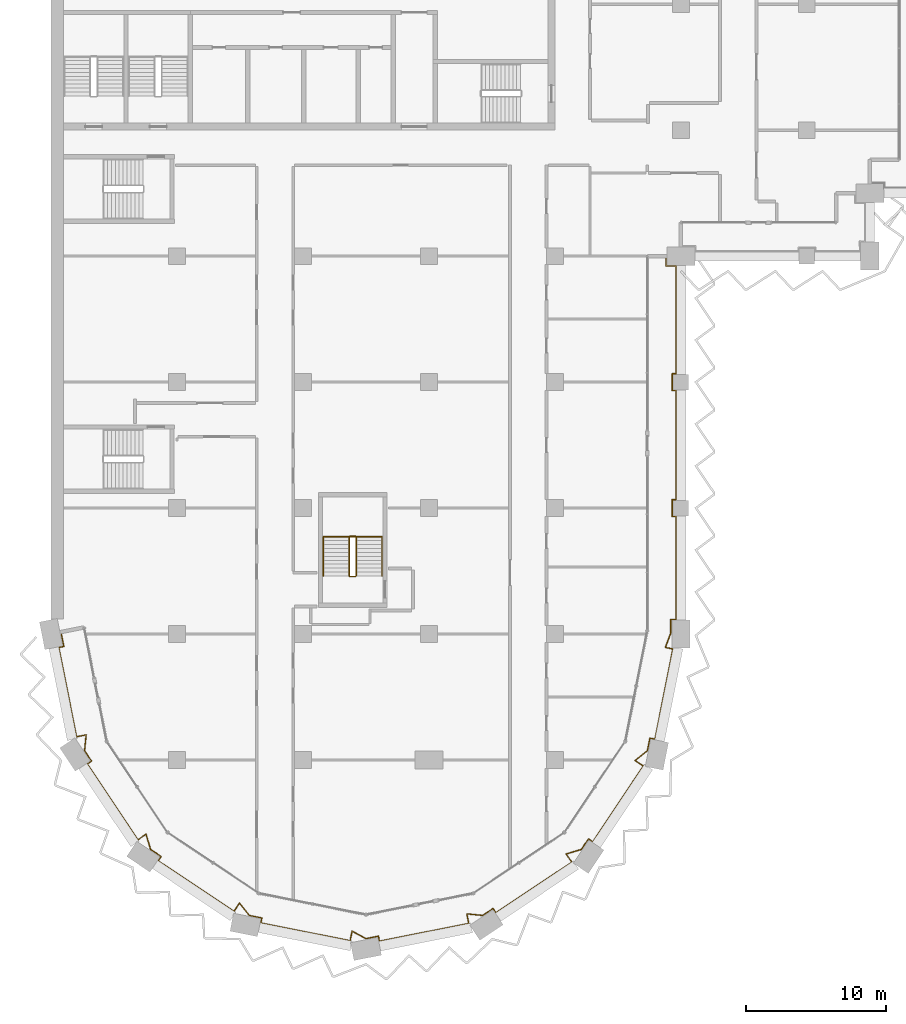
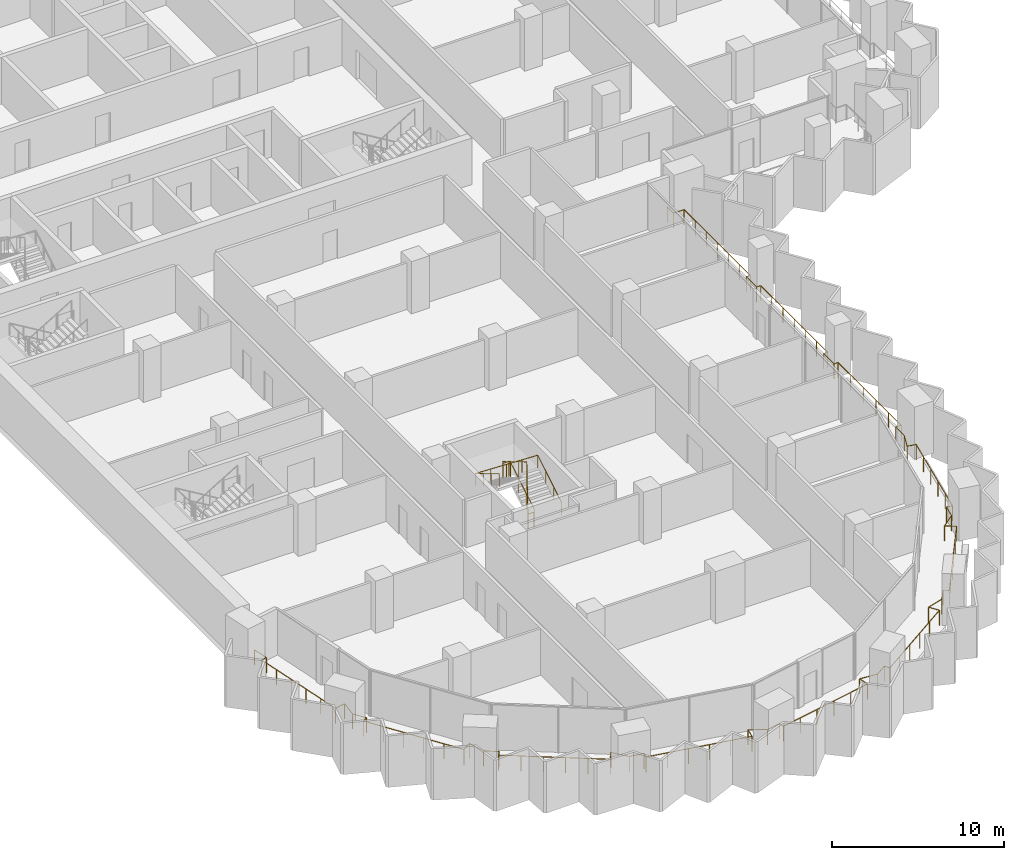
# One storey, part 19 of 22: 3 railings.
"""IFC4 building model written with IfcOpenShell, lengths in metres."""

import ifcopenshell
import ifcopenshell.guid

model = None  # the IFC model being written
_history = None  # IfcOwnerHistory: only IFC2X3 demands one
_inside = {}  # id of a spatial element -> (the spatial element, [elements in it])
_under = {}  # id of a project, library or spatial element -> (it, [spatial elements below it])
_declared = {}  # id of a project -> (the project, [libraries it declares])
_typed = {}  # id of a type object -> (the type object, [elements of that type])
_made_of = {}  # id of a material, layer set ... -> (it, [elements and type objects made of it])


def new_model(schema):
    """Start an empty IFC model of exactly this schema.

    Asked for "IFC4X3", IfcOpenShell would pick the latest addendum, in which some entities
    have other attributes; the version numbers below select the first issue.
    IFC2X3 requires an IfcOwnerHistory on every rooted entity: one is made here for all.
    """
    global model, _history
    if schema == "IFC4X3":
        model = ifcopenshell.file(schema_version=(4, 3, 0, 0))
    else:
        model = ifcopenshell.file(schema=schema)
    _inside.clear()
    _under.clear()
    _declared.clear()
    _typed.clear()
    _made_of.clear()
    _history = None
    if model.schema == "IFC2X3":
        org = make("IfcOrganization", Name="unknown")
        user = make(
            "IfcPersonAndOrganization",
            ThePerson=make("IfcPerson", FamilyName="unknown"),
            TheOrganization=org,
        )
        app = make(
            "IfcApplication",
            ApplicationDeveloper=org,
            Version="unknown",
            ApplicationFullName="unknown",
            ApplicationIdentifier="unknown",
        )
        _history = make(
            "IfcOwnerHistory",
            OwningUser=user,
            OwningApplication=app,
            ChangeAction="ADDED",
            CreationDate=0,
        )
    return model


def make(cls, **values):
    """One entity of the class cls with the attributes given. An attribute that is None is left unset."""
    return model.create_entity(
        cls, **{name: value for name, value in values.items() if value is not None}
    )


def rooted(cls, **values):
    """An entity with a GlobalId (a new one), such as an element, a storey or a relation."""
    return make(cls, GlobalId=ifcopenshell.guid.new(), OwnerHistory=_history, **values)


def si_unit(unit_type, name, prefix=None):
    """IfcSIUnit, for example si_unit("LENGTHUNIT", "METRE", prefix="MILLI")."""
    return make("IfcSIUnit", UnitType=unit_type, Prefix=prefix, Name=name)


def assignment(units):
    """IfcUnitAssignment: the units of a project."""
    return None if units is None else make("IfcUnitAssignment", Units=units)


def point(xyz):
    """IfcCartesianPoint."""
    return None if xyz is None else make("IfcCartesianPoint", Coordinates=xyz)


def direction(xyz):
    """IfcDirection."""
    return None if xyz is None else make("IfcDirection", DirectionRatios=xyz)


def frame(location, z_axis=None, x_axis=None):
    """IfcAxis2Placement3D, a coordinate frame: its origin and axes. An axis left out is left unset."""
    return make(
        "IfcAxis2Placement3D",
        Location=point(location),
        Axis=direction(z_axis),
        RefDirection=direction(x_axis),
    )


def frame_2d(location, x_axis=None):
    """IfcAxis2Placement2D, a coordinate frame in the plane: its origin and x axis."""
    return make(
        "IfcAxis2Placement2D", Location=point(location), RefDirection=direction(x_axis)
    )


def origin():
    """The frame at (0, 0, 0) with its axes left unset."""
    return frame((0.0, 0.0, 0.0))


def origin_2d():
    """The frame at (0, 0) in the plane with its x axis left unset."""
    return frame_2d((0.0, 0.0))


def place(relative_to, where):
    """IfcLocalPlacement: puts the frame where relative to a parent placement (None: the world)."""
    return make(
        "IfcLocalPlacement", PlacementRelTo=relative_to, RelativePlacement=where
    )


def context(
    kind, dimensions, precision=None, world=None, true_north=None, identifier=None
):
    """IfcGeometricRepresentationContext, for example the 3D "Model" context."""
    return make(
        "IfcGeometricRepresentationContext",
        ContextIdentifier=identifier,
        ContextType=kind,
        CoordinateSpaceDimension=dimensions,
        Precision=precision,
        WorldCoordinateSystem=world,
        TrueNorth=true_north,
    )


def subcontext(parent, identifier, kind, view, scale=None):
    """IfcGeometricRepresentationSubContext, for example "Body" below "Model"."""
    return make(
        "IfcGeometricRepresentationSubContext",
        ContextIdentifier=identifier,
        ContextType=kind,
        ParentContext=parent,
        TargetScale=scale,
        TargetView=view,
    )


def project(units=None, contexts=None):
    """IfcProject with its units and contexts."""
    return rooted(
        "IfcProject",
        Name="project",
        RepresentationContexts=contexts,
        UnitsInContext=assignment(units),
    )


def spatial(cls, under=None, at=None, **own):
    """A site, building, storey or space (cls), placed at a placement, below another one or the project."""
    s = rooted(cls, ObjectPlacement=at, **own)
    if under is not None:
        _under.setdefault(under.id(), (under, []))[1].append(s)
    return s


def profile(cls, at=None, kind="AREA", **sizes):
    """A parametric profile (cls). Its sizes go by their IFC names, for example OverallWidth=200.0."""
    return make(cls, ProfileType=kind, Position=at, **sizes)


def circle(**sizes):
    """IfcCircleProfileDef."""
    return profile("IfcCircleProfileDef", **sizes)


def extrude(swept, where, along, depth):
    """IfcExtrudedAreaSolid: the profile swept, set in the frame where, extruded along a direction by depth."""
    return make(
        "IfcExtrudedAreaSolid",
        SweptArea=swept,
        Position=where,
        ExtrudedDirection=direction(along),
        Depth=depth,
    )


def shape(context_of_items, identifier, shape_type, items):
    """IfcShapeRepresentation: the items that make up one representation, for example the "Body"."""
    return make(
        "IfcShapeRepresentation",
        ContextOfItems=context_of_items,
        RepresentationIdentifier=identifier,
        RepresentationType=shape_type,
        Items=items,
    )


def material(Name=None, Category=None):
    """IfcMaterial."""
    return make("IfcMaterial", Name=Name, Category=Category)


def made_of(thing, what):
    """Note that an element or type object is made of a material, layer set ...; save() writes the relation."""
    if what is not None:
        _made_of.setdefault(what.id(), (what, []))[1].append(thing)
    return thing


def type_object(cls, material=None, **own):
    """A type object (cls), such as IfcWallType, which elements share."""
    return made_of(rooted(cls, **own), material)


def element(
    cls,
    number,
    at=None,
    inside=None,
    cuts=None,
    type_object=None,
    material=None,
    context=None,
    identifier="Body",
    shape_type=None,
    held_by="IfcProductDefinitionShape",
    body=None,
    shapes=None,
    **own,
):
    """One element of the class cls, such as IfcWall. Its Tag is "e" and its number.

    at: its placement. inside: the storey or other place that contains it. cuts: it is an
    opening in that element (IfcRelVoidsElement). A single representation is given by context,
    identifier, shape_type and body (its items); several are given by shapes. held_by: the class
    of the entity that holds the representations. save() writes the other relations.
    """
    e = rooted(cls, Tag="e%d" % number, ObjectPlacement=at, **own)
    if body is not None:
        shapes = [shape(context, identifier, shape_type, body)]
    if shapes is not None:
        e.Representation = make(held_by, Representations=shapes)
    if inside is not None:
        _inside.setdefault(inside.id(), (inside, []))[1].append(e)
    if cuts is not None:
        rooted(
            "IfcRelVoidsElement", RelatingBuildingElement=cuts, RelatedOpeningElement=e
        )
    if type_object is not None:
        _typed.setdefault(type_object.id(), (type_object, []))[1].append(e)
    return made_of(e, material)


def aggregate(whole, parts):
    """IfcRelAggregates: a whole, such as a stair, and the parts it consists of."""
    return rooted("IfcRelAggregates", RelatingObject=whole, RelatedObjects=parts)


def save(model, path):
    """Write the relations noted so far, then the file.

    IfcRelAggregates (storeys below a building ...), IfcRelContainedInSpatialStructure (elements
    in a storey), IfcRelDefinesByType, IfcRelAssociatesMaterial and IfcRelDeclares: one each for
    every whole, place, type object, material and project.
    """
    for whole, parts in _under.values():
        aggregate(whole, parts)
    for where, things in _inside.values():
        rooted(
            "IfcRelContainedInSpatialStructure",
            RelatedElements=things,
            RelatingStructure=where,
        )
    for kind, things in _typed.values():
        rooted("IfcRelDefinesByType", RelatedObjects=things, RelatingType=kind)
    for what, things in _made_of.values():
        rooted("IfcRelAssociatesMaterial", RelatedObjects=things, RelatingMaterial=what)
    for by, libraries in _declared.values():
        rooted("IfcRelDeclares", RelatingContext=by, RelatedDefinitions=libraries)
    model.write(path)


model = new_model("IFC4")

# Units and contexts
model_context = context("Model", 3, precision=1e-05, world=origin(), true_north=direction((0.0, 1.0)))
body_context = subcontext(model_context, "Body", "Model", "MODEL_VIEW")
ifc_project = project(units=[si_unit("LENGTHUNIT", "METRE"), si_unit("AREAUNIT", "SQUARE_METRE"), si_unit("VOLUMEUNIT", "CUBIC_METRE"), si_unit("PLANEANGLEUNIT", "RADIAN"), si_unit("MASSUNIT", "GRAM", prefix="KILO")], contexts=[model_context])

# Site, building, storey
site_placement = place(None, origin())
site = spatial("IfcSite", under=ifc_project, at=site_placement, CompositionType="ELEMENT")
building_placement = place(site_placement, origin())
building = spatial("IfcBuilding", under=site, at=building_placement, Name="Hunhe Ridgeline Campus", CompositionType="ELEMENT")
storey_placement = place(building_placement, frame((0.0, 0.0, 141.199951171875)))
storey = spatial("IfcBuildingStorey", under=building, at=storey_placement, Name="L35", CompositionType="ELEMENT", Elevation=141.199951171875)

# Railings
ifc_material_1 = material(Name="Steel Q355", Category="steel")
railing_type_1 = type_object("IfcRailingType", Name="Loggia guard 1100 Steel Q355", PredefinedType="GUARDRAIL", material=ifc_material_1)
railing_1_placement = place(storey_placement, frame((0.7060546875, 27.140380859375, 0.0)))
element("IfcRailing", 1, at=railing_1_placement, inside=storey, type_object=railing_type_1, Name="Loggia guard 1", PredefinedType="GUARDRAIL", context=body_context, shape_type="SweptSolid", body=[
    extrude(circle(Radius=0.02392578125, at=origin_2d()), frame((0.0, 0.0, 1.076171875), z_axis=(0.195087556151, -0.980785830564, 0.0), x_axis=(0.980785830564, 0.195087556151, 0.0)), (0.0, 0.0, 1.0), 1.050048828125),
    extrude(circle(Radius=0.02392578125, at=origin_2d()), frame((0.204833984375, -1.02978515625, 1.076171875), z_axis=(-0.980858940504, -0.194719641621, 0.0), x_axis=(0.194719641621, -0.980858940504, 0.0)), (0.0, 0.0, 1.0), 0.369873046875),
    extrude(circle(Radius=0.02392578125, at=origin_2d()), frame((-0.157958984375, -1.101806640625, 1.076171875), z_axis=(0.19507695386, -0.9807879394, 0.0), x_axis=(0.9807879394, 0.19507695386, 0.0)), (0.0, 0.0, 1.0), 6.506591796875),
    extrude(circle(Radius=0.02392578125, at=origin_2d()), frame((1.111328125, -7.4833984375, 1.076171875), z_axis=(0.980780459814, 0.195114555191, 0.0), x_axis=(-0.195114555191, 0.980780459814, 0.0)), (0.0, 0.0, 1.0), 0.703125),
    extrude(circle(Radius=0.02392578125, at=origin_2d()), frame((1.801025390625, -7.34619140625, 1.076171875), z_axis=(-0.102884402445, -0.994693319437, 0.0), x_axis=(0.994693319437, -0.102884402445, 0.0)), (0.0, 0.0, 1.0), 1.129638671875),
    extrude(circle(Radius=0.02392578125, at=origin_2d()), frame((1.684814453125, -8.4697265625, 1.076171875), z_axis=(0.555569523548, -0.831470086356, 0.0), x_axis=(0.831470086356, 0.555569523548, 0.0)), (0.0, 0.0, 1.0), 0.906982421875),
    extrude(circle(Radius=0.02392578125, at=origin_2d()), frame((2.188720703125, -9.223876953125, 1.076171875), z_axis=(-0.831440678638, -0.555613532868, 0.0), x_axis=(0.555613532868, -0.831440678638, 0.0)), (0.0, 0.0, 1.0), 0.369873046875),
    extrude(circle(Radius=0.02392578125, at=origin_2d()), frame((1.881103515625, -9.429443359375, 1.076171875), z_axis=(0.55556581165, -0.83147256655, 0.0), x_axis=(0.83147256655, 0.55556581165, 0.0)), (0.0, 0.0, 1.0), 6.50634765625),
    extrude(circle(Radius=0.02392578125, at=origin_2d()), frame((5.495849609375, -14.83935546875, 1.076171875), z_axis=(0.831355400166, 0.555741125539, 0.0), x_axis=(-0.555741125539, 0.831355400166, 0.0)), (0.0, 0.0, 1.0), 0.703369140625),
    extrude(circle(Radius=0.02392578125, at=origin_2d()), frame((6.08056640625, -14.448486328125, 1.076171875), z_axis=(0.285463917281, -0.958389457335, 0.0), x_axis=(0.958389457335, 0.285463917281, 0.0)), (0.0, 0.0, 1.0), 1.1298828125),
    extrude(circle(Radius=0.02392578125, at=origin_2d()), frame((6.403076171875, -15.53125, 1.076171875), z_axis=(0.831511358569, -0.555507750235, 0.0), x_axis=(0.555507750235, 0.831511358569, 0.0)), (0.0, 0.0, 1.0), 0.90673828125),
    extrude(circle(Radius=0.02392578125, at=origin_2d()), frame((7.156982421875, -16.034912109375, 1.076171875), z_axis=(-0.555613532868, -0.831440678638, 0.0), x_axis=(0.831440678638, -0.555613532868, 0.0)), (0.0, 0.0, 1.0), 0.369873046875),
    extrude(circle(Radius=0.02392578125, at=origin_2d()), frame((6.951416015625, -16.342529296875, 1.076171875), z_axis=(0.831455233209, -0.555591752251, 0.0), x_axis=(0.555591752251, 0.831455233209, 0.0)), (0.0, 0.0, 1.0), 6.506591796875),
    extrude(circle(Radius=0.02392578125, at=origin_2d()), frame((12.361328125, -19.95751953125, 1.076171875), z_axis=(0.555741125539, 0.831355400166, 0.0), x_axis=(-0.831355400166, 0.555741125539, 0.0)), (0.0, 0.0, 1.0), 0.703369140625),
    extrude(circle(Radius=0.02392578125, at=origin_2d()), frame((12.752197265625, -19.372802734375, 1.076171875), z_axis=(0.630633305327, -0.776080945657, 0.0), x_axis=(0.776080945657, 0.630633305327, 0.0)), (0.0, 0.0, 1.0), 1.129638671875),
    extrude(circle(Radius=0.02392578125, at=origin_2d()), frame((13.464599609375, -20.24951171875, 1.076171875), z_axis=(0.980807887006, -0.194976636516, 0.0), x_axis=(0.194976636516, 0.980807887006, 0.0)), (0.0, 0.0, 1.0), 0.906494140625),
    extrude(circle(Radius=0.02392578125, at=origin_2d()), frame((14.353759765625, -20.42626953125, 1.076171875), z_axis=(-0.194593653816, -0.980883943132, 0.0), x_axis=(0.980883943132, -0.194593653816, 0.0)), (0.0, 0.0, 1.0), 0.3701171875),
    extrude(circle(Radius=0.02392578125, at=origin_2d()), frame((14.28173828125, -20.789306640625, 1.076171875), z_axis=(0.98078651142, -0.195084133173, 0.0), x_axis=(0.195084133173, 0.98078651142, 0.0)), (0.0, 0.0, 1.0), 6.50634765625),
    extrude(circle(Radius=0.02392578125, at=origin_2d()), frame((20.6630859375, -22.05859375, 1.076171875), z_axis=(0.195114555191, 0.980780459814, 0.0), x_axis=(-0.980780459814, 0.195114555191, 0.0)), (0.0, 0.0, 1.0), 0.703125),
    extrude(circle(Radius=0.02392578125, at=origin_2d()), frame((20.80029296875, -21.368896484375, 1.076171875), z_axis=(0.879616090555, -0.475684278946, 0.0), x_axis=(0.475684278946, 0.879616090555, 0.0)), (0.0, 0.0, 1.0), 1.129638671875),
    extrude(circle(Radius=0.02392578125, at=origin_2d()), frame((21.7939453125, -21.90625, 1.076171875), z_axis=(0.98081812081, 0.194925149456, 0.0), x_axis=(-0.194925149456, 0.98081812081, 0.0)), (0.0, 0.0, 1.0), 0.90673828125),
    extrude(circle(Radius=0.02392578125, at=origin_2d()), frame((22.683349609375, -21.7294921875, 1.076171875), z_axis=(0.194719641621, -0.980858940504, 0.0), x_axis=(0.980858940504, 0.194719641621, 0.0)), (0.0, 0.0, 1.0), 0.369873046875),
    extrude(circle(Radius=0.02392578125, at=origin_2d()), frame((22.75537109375, -22.09228515625, 1.076171875), z_axis=(0.9807879394, 0.19507695386, 0.0), x_axis=(-0.19507695386, 0.9807879394, 0.0)), (0.0, 0.0, 1.0), 6.506591796875),
    extrude(circle(Radius=0.02392578125, at=origin_2d()), frame((29.136962890625, -20.822998046875, 1.076171875), z_axis=(-0.195114555191, 0.980780459814, 0.0), x_axis=(-0.980780459814, -0.195114555191, 0.0)), (0.0, 0.0, 1.0), 0.703125),
    extrude(circle(Radius=0.02392578125, at=origin_2d()), frame((28.999755859375, -20.13330078125, 1.076171875), z_axis=(0.994693319437, -0.102884402445, 0.0), x_axis=(0.102884402445, 0.994693319437, 0.0)), (0.0, 0.0, 1.0), 1.129638671875),
    extrude(circle(Radius=0.02392578125, at=origin_2d()), frame((30.123291015625, -20.24951171875, 1.076171875), z_axis=(0.831470086356, 0.555569523548, 0.0), x_axis=(-0.555569523548, 0.831470086356, 0.0)), (0.0, 0.0, 1.0), 0.906982421875),
    extrude(circle(Radius=0.02392578125, at=origin_2d()), frame((30.87744140625, -19.74560546875, 1.076171875), z_axis=(0.555613532868, -0.831440678638, 0.0), x_axis=(0.831440678638, 0.555613532868, 0.0)), (0.0, 0.0, 1.0), 0.369873046875),
    extrude(circle(Radius=0.02392578125, at=origin_2d()), frame((31.0830078125, -20.05322265625, 1.076171875), z_axis=(0.83147256655, 0.55556581165, 0.0), x_axis=(-0.55556581165, 0.83147256655, 0.0)), (0.0, 0.0, 1.0), 6.50634765625),
    extrude(circle(Radius=0.02392578125, at=origin_2d()), frame((36.492919921875, -16.4384765625, 1.076171875), z_axis=(-0.555741125539, 0.831355400166, 0.0), x_axis=(-0.831355400166, -0.555741125539, 0.0)), (0.0, 0.0, 1.0), 0.703369140625),
    extrude(circle(Radius=0.02392578125, at=origin_2d()), frame((36.10205078125, -15.853759765625, 1.076171875), z_axis=(0.958389457335, 0.285463917281, 0.0), x_axis=(-0.285463917281, 0.958389457335, 0.0)), (0.0, 0.0, 1.0), 1.1298828125),
    extrude(circle(Radius=0.02392578125, at=origin_2d()), frame((37.184814453125, -15.53125, 1.076171875), z_axis=(0.555507750235, 0.831511358569, 0.0), x_axis=(-0.831511358569, 0.555507750235, 0.0)), (0.0, 0.0, 1.0), 0.90673828125),
    extrude(circle(Radius=0.02392578125, at=origin_2d()), frame((37.6884765625, -14.77734375, 1.076171875), z_axis=(0.831440678638, -0.555613532868, 0.0), x_axis=(0.555613532868, 0.831440678638, 0.0)), (0.0, 0.0, 1.0), 0.369873046875),
    extrude(circle(Radius=0.02392578125, at=origin_2d()), frame((37.99609375, -14.98291015625, 1.076171875), z_axis=(0.555591752251, 0.831455233209, 0.0), x_axis=(-0.831455233209, 0.555591752251, 0.0)), (0.0, 0.0, 1.0), 6.506591796875),
    extrude(circle(Radius=0.02392578125, at=origin_2d()), frame((41.611083984375, -9.572998046875, 1.076171875), z_axis=(-0.831355400166, 0.555741125539, 0.0), x_axis=(-0.555741125539, -0.831355400166, 0.0)), (0.0, 0.0, 1.0), 0.703369140625),
    extrude(circle(Radius=0.02392578125, at=origin_2d()), frame((41.0263671875, -9.18212890625, 1.076171875), z_axis=(0.776080945657, 0.630633305327, 0.0), x_axis=(-0.630633305327, 0.776080945657, 0.0)), (0.0, 0.0, 1.0), 1.129638671875),
    extrude(circle(Radius=0.02392578125, at=origin_2d()), frame((41.903076171875, -8.4697265625, 1.076171875), z_axis=(0.194976636516, 0.980807887006, 0.0), x_axis=(-0.980807887006, 0.194976636516, 0.0)), (0.0, 0.0, 1.0), 0.906494140625),
    extrude(circle(Radius=0.02392578125, at=origin_2d()), frame((42.079833984375, -7.58056640625, 1.076171875), z_axis=(0.980883943132, -0.194593653816, 0.0), x_axis=(0.194593653816, 0.980883943132, 0.0)), (0.0, 0.0, 1.0), 0.3701171875),
    extrude(circle(Radius=0.02392578125, at=origin_2d()), frame((42.44287109375, -7.652587890625, 1.076171875), z_axis=(0.195087191819, 0.980785903033, 0.0), x_axis=(-0.980785903033, 0.195087191819, 0.0)), (0.0, 0.0, 1.0), 6.5712890625),
    extrude(circle(Radius=0.02392578125, at=origin_2d()), frame((43.724853515625, -1.20751953125, 1.076171875), z_axis=(-0.9807502228, 0.195266485801, 0.0), x_axis=(-0.195266485801, -0.9807502228, 0.0)), (0.0, 0.0, 1.0), 0.552734375),
    extrude(circle(Radius=0.02392578125, at=origin_2d()), frame((43.182861328125, -1.099609375, 1.076171875), z_axis=(0.354981524628, 0.934873316109, 0.0), x_axis=(-0.934873316109, 0.354981524628, 0.0)), (0.0, 0.0, 1.0), 1.101806640625),
    extrude(circle(Radius=0.02392578125, at=origin_2d()), frame((43.573974609375, -0.069580078125, 1.076171875), z_axis=(0.0, 1.0, 0.0), x_axis=(-1.0, 0.0, 0.0)), (0.0, 0.0, 1.0), 0.979248046875),
    extrude(circle(Radius=0.02392578125, at=origin_2d()), frame((43.573974609375, 0.90966796875, 1.076171875), z_axis=(1.0, 0.0, 0.0), x_axis=(0.0, 1.0, 0.0)), (0.0, 0.0, 1.0), 0.369873046875),
    extrude(circle(Radius=0.02392578125, at=origin_2d()), frame((43.94384765625, 0.90966796875, 1.076171875), z_axis=(0.0, 1.0, 0.0), x_axis=(-1.0, 0.0, 0.0)), (0.0, 0.0, 1.0), 7.349853515625),
    extrude(circle(Radius=0.02392578125, at=origin_2d()), frame((43.94384765625, 8.259521484375, 1.076171875), z_axis=(-1.0, 0.0, 0.0), x_axis=(0.0, -1.0, 0.0)), (0.0, 0.0, 1.0), 0.27001953125),
    extrude(circle(Radius=0.02392578125, at=origin_2d()), frame((43.673828125, 8.259521484375, 1.076171875), z_axis=(0.0, 1.0, 0.0), x_axis=(-1.0, 0.0, 0.0)), (0.0, 0.0, 1.0), 1.2001953125),
    extrude(circle(Radius=0.02392578125, at=origin_2d()), frame((43.673828125, 9.459716796875, 1.076171875), z_axis=(1.0, 0.0, 0.0), x_axis=(0.0, 1.0, 0.0)), (0.0, 0.0, 1.0), 0.27001953125),
    extrude(circle(Radius=0.02392578125, at=origin_2d()), frame((43.94384765625, 9.459716796875, 1.076171875), z_axis=(0.0, 1.0, 0.0), x_axis=(-1.0, 0.0, 0.0)), (0.0, 0.0, 1.0), 7.7998046875),
    extrude(circle(Radius=0.02392578125, at=origin_2d()), frame((43.94384765625, 17.259521484375, 1.076171875), z_axis=(-1.0, 0.0, 0.0), x_axis=(0.0, -1.0, 0.0)), (0.0, 0.0, 1.0), 0.27001953125),
    extrude(circle(Radius=0.02392578125, at=origin_2d()), frame((43.673828125, 17.259521484375, 1.076171875), z_axis=(0.0, 1.0, 0.0), x_axis=(-1.0, 0.0, 0.0)), (0.0, 0.0, 1.0), 1.2001953125),
    extrude(circle(Radius=0.02392578125, at=origin_2d()), frame((43.673828125, 18.459716796875, 1.076171875), z_axis=(1.0, 0.0, 0.0), x_axis=(0.0, 1.0, 0.0)), (0.0, 0.0, 1.0), 0.27001953125),
    extrude(circle(Radius=0.02392578125, at=origin_2d()), frame((43.94384765625, 18.459716796875, 1.076171875), z_axis=(0.0, 1.0, 0.0), x_axis=(-1.0, 0.0, 0.0)), (0.0, 0.0, 1.0), 7.699951171875),
    extrude(circle(Radius=0.02392578125, at=origin_2d()), frame((43.94384765625, 26.15966796875, 1.076171875), z_axis=(-1.0, 0.0, 0.0), x_axis=(0.0, -1.0, 0.0)), (0.0, 0.0, 1.0), 0.719970703125),
    extrude(circle(Radius=0.02392578125, at=origin_2d()), frame((43.223876953125, 26.15966796875, 1.076171875), z_axis=(0.0, 1.0, 0.0), x_axis=(-1.0, 0.0, 0.0)), (0.0, 0.0, 1.0), 0.699951171875),
    extrude(circle(Radius=0.02099609375, at=origin_2d()), origin(), (0.0, 0.0, 1.0), 1.052001953125),
    extrude(circle(Radius=0.02099609375, at=origin_2d()), frame((0.204833984375, -1.02978515625, 0.0)), (0.0, 0.0, 1.0), 1.052001953125),
    extrude(circle(Radius=0.02099609375, at=origin_2d()), frame((-0.157958984375, -1.101806640625, 0.0)), (0.0, 0.0, 1.0), 1.052001953125),
    extrude(circle(Radius=0.02099609375, at=origin_2d()), frame((0.095947265625, -2.378173828125, 0.0)), (0.0, 0.0, 1.0), 1.052001953125),
    extrude(circle(Radius=0.02099609375, at=origin_2d()), frame((0.349853515625, -3.654541015625, 0.0)), (0.0, 0.0, 1.0), 1.052001953125),
    extrude(circle(Radius=0.02099609375, at=origin_2d()), frame((0.603515625, -4.9306640625, 0.0)), (0.0, 0.0, 1.0), 1.052001953125),
    extrude(circle(Radius=0.02099609375, at=origin_2d()), frame((0.857421875, -6.20703125, 0.0)), (0.0, 0.0, 1.0), 1.052001953125),
    extrude(circle(Radius=0.02099609375, at=origin_2d()), frame((1.111328125, -7.4833984375, 0.0)), (0.0, 0.0, 1.0), 1.052001953125),
    extrude(circle(Radius=0.02099609375, at=origin_2d()), frame((1.801025390625, -7.34619140625, 0.0)), (0.0, 0.0, 1.0), 1.052001953125),
    extrude(circle(Radius=0.02099609375, at=origin_2d()), frame((1.684814453125, -8.4697265625, 0.0)), (0.0, 0.0, 1.0), 1.052001953125),
    extrude(circle(Radius=0.02099609375, at=origin_2d()), frame((2.188720703125, -9.223876953125, 0.0)), (0.0, 0.0, 1.0), 1.052001953125),
    extrude(circle(Radius=0.02099609375, at=origin_2d()), frame((1.881103515625, -9.429443359375, 0.0)), (0.0, 0.0, 1.0), 1.052001953125),
    extrude(circle(Radius=0.02099609375, at=origin_2d()), frame((2.60400390625, -10.511474609375, 0.0)), (0.0, 0.0, 1.0), 1.052001953125),
    extrude(circle(Radius=0.02099609375, at=origin_2d()), frame((3.326904296875, -11.593505859375, 0.0)), (0.0, 0.0, 1.0), 1.052001953125),
    extrude(circle(Radius=0.02099609375, at=origin_2d()), frame((4.050048828125, -12.67529296875, 0.0)), (0.0, 0.0, 1.0), 1.052001953125),
    extrude(circle(Radius=0.02099609375, at=origin_2d()), frame((4.77294921875, -13.75732421875, 0.0)), (0.0, 0.0, 1.0), 1.052001953125),
    extrude(circle(Radius=0.02099609375, at=origin_2d()), frame((5.495849609375, -14.83935546875, 0.0)), (0.0, 0.0, 1.0), 1.052001953125),
    extrude(circle(Radius=0.02099609375, at=origin_2d()), frame((6.08056640625, -14.448486328125, 0.0)), (0.0, 0.0, 1.0), 1.052001953125),
    extrude(circle(Radius=0.02099609375, at=origin_2d()), frame((6.403076171875, -15.53125, 0.0)), (0.0, 0.0, 1.0), 1.052001953125),
    extrude(circle(Radius=0.02099609375, at=origin_2d()), frame((7.156982421875, -16.034912109375, 0.0)), (0.0, 0.0, 1.0), 1.052001953125),
    extrude(circle(Radius=0.02099609375, at=origin_2d()), frame((6.951416015625, -16.342529296875, 0.0)), (0.0, 0.0, 1.0), 1.052001953125),
    extrude(circle(Radius=0.02099609375, at=origin_2d()), frame((8.033447265625, -17.0654296875, 0.0)), (0.0, 0.0, 1.0), 1.052001953125),
    extrude(circle(Radius=0.02099609375, at=origin_2d()), frame((9.115478515625, -17.78857421875, 0.0)), (0.0, 0.0, 1.0), 1.052001953125),
    extrude(circle(Radius=0.02099609375, at=origin_2d()), frame((10.197265625, -18.511474609375, 0.0)), (0.0, 0.0, 1.0), 1.052001953125),
    extrude(circle(Radius=0.02099609375, at=origin_2d()), frame((11.279296875, -19.234619140625, 0.0)), (0.0, 0.0, 1.0), 1.052001953125),
    extrude(circle(Radius=0.02099609375, at=origin_2d()), frame((12.361328125, -19.95751953125, 0.0)), (0.0, 0.0, 1.0), 1.052001953125),
    extrude(circle(Radius=0.02099609375, at=origin_2d()), frame((12.752197265625, -19.372802734375, 0.0)), (0.0, 0.0, 1.0), 1.052001953125),
    extrude(circle(Radius=0.02099609375, at=origin_2d()), frame((13.464599609375, -20.24951171875, 0.0)), (0.0, 0.0, 1.0), 1.052001953125),
    extrude(circle(Radius=0.02099609375, at=origin_2d()), frame((14.353759765625, -20.42626953125, 0.0)), (0.0, 0.0, 1.0), 1.052001953125),
    extrude(circle(Radius=0.02099609375, at=origin_2d()), frame((14.28173828125, -20.789306640625, 0.0)), (0.0, 0.0, 1.0), 1.052001953125),
    extrude(circle(Radius=0.02099609375, at=origin_2d()), frame((15.55810546875, -21.043212890625, 0.0)), (0.0, 0.0, 1.0), 1.052001953125),
    extrude(circle(Radius=0.02099609375, at=origin_2d()), frame((16.834228515625, -21.297119140625, 0.0)), (0.0, 0.0, 1.0), 1.052001953125),
    extrude(circle(Radius=0.02099609375, at=origin_2d()), frame((18.110595703125, -21.55078125, 0.0)), (0.0, 0.0, 1.0), 1.052001953125),
    extrude(circle(Radius=0.02099609375, at=origin_2d()), frame((19.38671875, -21.8046875, 0.0)), (0.0, 0.0, 1.0), 1.052001953125),
    extrude(circle(Radius=0.02099609375, at=origin_2d()), frame((20.6630859375, -22.05859375, 0.0)), (0.0, 0.0, 1.0), 1.052001953125),
    extrude(circle(Radius=0.02099609375, at=origin_2d()), frame((20.80029296875, -21.368896484375, 0.0)), (0.0, 0.0, 1.0), 1.052001953125),
    extrude(circle(Radius=0.02099609375, at=origin_2d()), frame((21.7939453125, -21.90625, 0.0)), (0.0, 0.0, 1.0), 1.052001953125),
    extrude(circle(Radius=0.02099609375, at=origin_2d()), frame((22.683349609375, -21.7294921875, 0.0)), (0.0, 0.0, 1.0), 1.052001953125),
    extrude(circle(Radius=0.02099609375, at=origin_2d()), frame((22.75537109375, -22.09228515625, 0.0)), (0.0, 0.0, 1.0), 1.052001953125),
    extrude(circle(Radius=0.02099609375, at=origin_2d()), frame((24.03173828125, -21.83837890625, 0.0)), (0.0, 0.0, 1.0), 1.052001953125),
    extrude(circle(Radius=0.02099609375, at=origin_2d()), frame((25.30810546875, -21.58447265625, 0.0)), (0.0, 0.0, 1.0), 1.052001953125),
    extrude(circle(Radius=0.02099609375, at=origin_2d()), frame((26.584228515625, -21.330810546875, 0.0)), (0.0, 0.0, 1.0), 1.052001953125),
    extrude(circle(Radius=0.02099609375, at=origin_2d()), frame((27.860595703125, -21.076904296875, 0.0)), (0.0, 0.0, 1.0), 1.052001953125),
    extrude(circle(Radius=0.02099609375, at=origin_2d()), frame((29.136962890625, -20.822998046875, 0.0)), (0.0, 0.0, 1.0), 1.052001953125),
    extrude(circle(Radius=0.02099609375, at=origin_2d()), frame((28.999755859375, -20.13330078125, 0.0)), (0.0, 0.0, 1.0), 1.052001953125),
    extrude(circle(Radius=0.02099609375, at=origin_2d()), frame((30.123291015625, -20.24951171875, 0.0)), (0.0, 0.0, 1.0), 1.052001953125),
    extrude(circle(Radius=0.02099609375, at=origin_2d()), frame((30.87744140625, -19.74560546875, 0.0)), (0.0, 0.0, 1.0), 1.052001953125),
    extrude(circle(Radius=0.02099609375, at=origin_2d()), frame((31.0830078125, -20.05322265625, 0.0)), (0.0, 0.0, 1.0), 1.052001953125),
    extrude(circle(Radius=0.02099609375, at=origin_2d()), frame((32.1650390625, -19.330322265625, 0.0)), (0.0, 0.0, 1.0), 1.052001953125),
    extrude(circle(Radius=0.02099609375, at=origin_2d()), frame((33.2470703125, -18.607421875, 0.0)), (0.0, 0.0, 1.0), 1.052001953125),
    extrude(circle(Radius=0.02099609375, at=origin_2d()), frame((34.328857421875, -17.88427734375, 0.0)), (0.0, 0.0, 1.0), 1.052001953125),
    extrude(circle(Radius=0.02099609375, at=origin_2d()), frame((35.410888671875, -17.161376953125, 0.0)), (0.0, 0.0, 1.0), 1.052001953125),
    extrude(circle(Radius=0.02099609375, at=origin_2d()), frame((36.492919921875, -16.4384765625, 0.0)), (0.0, 0.0, 1.0), 1.052001953125),
    extrude(circle(Radius=0.02099609375, at=origin_2d()), frame((36.10205078125, -15.853759765625, 0.0)), (0.0, 0.0, 1.0), 1.052001953125),
    extrude(circle(Radius=0.02099609375, at=origin_2d()), frame((37.184814453125, -15.53125, 0.0)), (0.0, 0.0, 1.0), 1.052001953125),
    extrude(circle(Radius=0.02099609375, at=origin_2d()), frame((37.6884765625, -14.77734375, 0.0)), (0.0, 0.0, 1.0), 1.052001953125),
    extrude(circle(Radius=0.02099609375, at=origin_2d()), frame((37.99609375, -14.98291015625, 0.0)), (0.0, 0.0, 1.0), 1.052001953125),
    extrude(circle(Radius=0.02099609375, at=origin_2d()), frame((38.718994140625, -13.90087890625, 0.0)), (0.0, 0.0, 1.0), 1.052001953125),
    extrude(circle(Radius=0.02099609375, at=origin_2d()), frame((39.442138671875, -12.81884765625, 0.0)), (0.0, 0.0, 1.0), 1.052001953125),
    extrude(circle(Radius=0.02099609375, at=origin_2d()), frame((40.1650390625, -11.737060546875, 0.0)), (0.0, 0.0, 1.0), 1.052001953125),
    extrude(circle(Radius=0.02099609375, at=origin_2d()), frame((40.88818359375, -10.655029296875, 0.0)), (0.0, 0.0, 1.0), 1.052001953125),
    extrude(circle(Radius=0.02099609375, at=origin_2d()), frame((41.611083984375, -9.572998046875, 0.0)), (0.0, 0.0, 1.0), 1.052001953125),
    extrude(circle(Radius=0.02099609375, at=origin_2d()), frame((41.0263671875, -9.18212890625, 0.0)), (0.0, 0.0, 1.0), 1.052001953125),
    extrude(circle(Radius=0.02099609375, at=origin_2d()), frame((41.903076171875, -8.4697265625, 0.0)), (0.0, 0.0, 1.0), 1.052001953125),
    extrude(circle(Radius=0.02099609375, at=origin_2d()), frame((42.079833984375, -7.58056640625, 0.0)), (0.0, 0.0, 1.0), 1.052001953125),
    extrude(circle(Radius=0.02099609375, at=origin_2d()), frame((42.44287109375, -7.652587890625, 0.0)), (0.0, 0.0, 1.0), 1.052001953125),
    extrude(circle(Radius=0.02099609375, at=origin_2d()), frame((42.69921875, -6.363525390625, 0.0)), (0.0, 0.0, 1.0), 1.052001953125),
    extrude(circle(Radius=0.02099609375, at=origin_2d()), frame((42.95556640625, -5.074462890625, 0.0)), (0.0, 0.0, 1.0), 1.052001953125),
    extrude(circle(Radius=0.02099609375, at=origin_2d()), frame((43.212158203125, -3.78564453125, 0.0)), (0.0, 0.0, 1.0), 1.052001953125),
    extrude(circle(Radius=0.02099609375, at=origin_2d()), frame((43.468505859375, -2.49658203125, 0.0)), (0.0, 0.0, 1.0), 1.052001953125),
    extrude(circle(Radius=0.02099609375, at=origin_2d()), frame((43.724853515625, -1.20751953125, 0.0)), (0.0, 0.0, 1.0), 1.052001953125),
    extrude(circle(Radius=0.02099609375, at=origin_2d()), frame((43.182861328125, -1.099609375, 0.0)), (0.0, 0.0, 1.0), 1.052001953125),
    extrude(circle(Radius=0.02099609375, at=origin_2d()), frame((43.573974609375, -0.069580078125, 0.0)), (0.0, 0.0, 1.0), 1.052001953125),
    extrude(circle(Radius=0.02099609375, at=origin_2d()), frame((43.573974609375, 0.90966796875, 0.0)), (0.0, 0.0, 1.0), 1.052001953125),
    extrude(circle(Radius=0.02099609375, at=origin_2d()), frame((43.94384765625, 0.90966796875, 0.0)), (0.0, 0.0, 1.0), 1.052001953125),
    extrude(circle(Radius=0.02099609375, at=origin_2d()), frame((43.94384765625, 2.379638671875, 0.0)), (0.0, 0.0, 1.0), 1.052001953125),
    extrude(circle(Radius=0.02099609375, at=origin_2d()), frame((43.94384765625, 3.849609375, 0.0)), (0.0, 0.0, 1.0), 1.052001953125),
    extrude(circle(Radius=0.02099609375, at=origin_2d()), frame((43.94384765625, 5.319580078125, 0.0)), (0.0, 0.0, 1.0), 1.052001953125),
    extrude(circle(Radius=0.02099609375, at=origin_2d()), frame((43.94384765625, 6.78955078125, 0.0)), (0.0, 0.0, 1.0), 1.052001953125),
    extrude(circle(Radius=0.02099609375, at=origin_2d()), frame((43.94384765625, 8.259521484375, 0.0)), (0.0, 0.0, 1.0), 1.052001953125),
    extrude(circle(Radius=0.02099609375, at=origin_2d()), frame((43.673828125, 8.259521484375, 0.0)), (0.0, 0.0, 1.0), 1.052001953125),
    extrude(circle(Radius=0.02099609375, at=origin_2d()), frame((43.673828125, 9.459716796875, 0.0)), (0.0, 0.0, 1.0), 1.052001953125),
    extrude(circle(Radius=0.02099609375, at=origin_2d()), frame((43.94384765625, 9.459716796875, 0.0)), (0.0, 0.0, 1.0), 1.052001953125),
    extrude(circle(Radius=0.02099609375, at=origin_2d()), frame((43.94384765625, 10.759765625, 0.0)), (0.0, 0.0, 1.0), 1.052001953125),
    extrude(circle(Radius=0.02099609375, at=origin_2d()), frame((43.94384765625, 12.0595703125, 0.0)), (0.0, 0.0, 1.0), 1.052001953125),
    extrude(circle(Radius=0.02099609375, at=origin_2d()), frame((43.94384765625, 13.359619140625, 0.0)), (0.0, 0.0, 1.0), 1.052001953125),
    extrude(circle(Radius=0.02099609375, at=origin_2d()), frame((43.94384765625, 14.65966796875, 0.0)), (0.0, 0.0, 1.0), 1.052001953125),
    extrude(circle(Radius=0.02099609375, at=origin_2d()), frame((43.94384765625, 15.95947265625, 0.0)), (0.0, 0.0, 1.0), 1.052001953125),
    extrude(circle(Radius=0.02099609375, at=origin_2d()), frame((43.94384765625, 17.259521484375, 0.0)), (0.0, 0.0, 1.0), 1.052001953125),
    extrude(circle(Radius=0.02099609375, at=origin_2d()), frame((43.673828125, 17.259521484375, 0.0)), (0.0, 0.0, 1.0), 1.052001953125),
    extrude(circle(Radius=0.02099609375, at=origin_2d()), frame((43.673828125, 18.459716796875, 0.0)), (0.0, 0.0, 1.0), 1.052001953125),
    extrude(circle(Radius=0.02099609375, at=origin_2d()), frame((43.94384765625, 18.459716796875, 0.0)), (0.0, 0.0, 1.0), 1.052001953125),
    extrude(circle(Radius=0.02099609375, at=origin_2d()), frame((43.94384765625, 19.7431640625, 0.0)), (0.0, 0.0, 1.0), 1.052001953125),
    extrude(circle(Radius=0.02099609375, at=origin_2d()), frame((43.94384765625, 21.0263671875, 0.0)), (0.0, 0.0, 1.0), 1.052001953125),
    extrude(circle(Radius=0.02099609375, at=origin_2d()), frame((43.94384765625, 22.3095703125, 0.0)), (0.0, 0.0, 1.0), 1.052001953125),
    extrude(circle(Radius=0.02099609375, at=origin_2d()), frame((43.94384765625, 23.593017578125, 0.0)), (0.0, 0.0, 1.0), 1.052001953125),
    extrude(circle(Radius=0.02099609375, at=origin_2d()), frame((43.94384765625, 24.87646484375, 0.0)), (0.0, 0.0, 1.0), 1.052001953125),
    extrude(circle(Radius=0.02099609375, at=origin_2d()), frame((43.94384765625, 26.15966796875, 0.0)), (0.0, 0.0, 1.0), 1.052001953125),
    extrude(circle(Radius=0.02099609375, at=origin_2d()), frame((43.223876953125, 26.15966796875, 0.0)), (0.0, 0.0, 1.0), 1.052001953125),
    extrude(circle(Radius=0.02099609375, at=origin_2d()), frame((43.223876953125, 26.859619140625, 0.0)), (0.0, 0.0, 1.0), 1.052001953125),
])
ifc_material_2 = material(Name="Stainless steel balustrade", Category="steel")
railing_type_2 = type_object("IfcRailingType", Name="Stair guard 1100 stainless", PredefinedType="GUARDRAIL", material=ifc_material_2)
railing_2_placement = place(storey_placement, frame((21.800048828125, 31.14990234375, 0.168212890625)))
element("IfcRailing", 2, at=railing_2_placement, inside=storey, type_object=railing_type_2, Name="L35 stair W3 guard", PredefinedType="GUARDRAIL", context=body_context, shape_type="SweptSolid", body=[
    extrude(circle(Radius=0.02392578125, at=origin_2d()), frame((0.0, 0.0, 1.076171875), z_axis=(0.0, 0.857242210791, 0.514913383045), x_axis=(-1.0, 0.0, 0.0)), (0.0, 0.0, 1.0), 3.266357421875),
    extrude(circle(Radius=0.02392578125, at=origin_2d()), frame((0.0, 2.800048828125, 2.7578125), z_axis=(-0.707106781187, 0.707106781187, 0.0), x_axis=(-0.707106781187, -0.707106781187, 0.0)), (0.0, 0.0, 1.0), 0.07080078125),
    extrude(circle(Radius=0.02392578125, at=origin_2d()), frame((-0.050048828125, 2.85009765625, 2.7578125), z_axis=(-1.0, 0.0, 0.0), x_axis=(0.0, -1.0, 0.0)), (0.0, 0.0, 1.0), 0.39990234375),
    extrude(circle(Radius=0.02392578125, at=origin_2d()), frame((-0.449951171875, 2.85009765625, 2.7578125), z_axis=(-0.274243871929, -0.274243871929, 0.92172696468), x_axis=(0.707106781187, -0.707106781187, 0.0)), (0.0, 0.0, 1.0), 0.1826171875),
    extrude(circle(Radius=0.02392578125, at=origin_2d()), frame((-0.5, 2.800048828125, 2.92626953125), z_axis=(0.0, -0.857275202839, 0.514858452973), x_axis=(1.0, 0.0, 0.0)), (0.0, 0.0, 1.0), 3.26611328125),
    extrude(circle(Radius=0.02392578125, at=origin_2d()), frame((-0.5, 0.0, 4.60791015625), z_axis=(0.013524426427, -0.013458453615, -0.999817963389), x_axis=(0.705375805398, 0.708833529934, 0.0)), (0.0, 0.0, 1.0), 3.70068359375),
    extrude(circle(Radius=0.02392578125, at=origin_2d()), frame((-0.449951171875, -0.0498046875, 0.90771484375), z_axis=(1.0, 0.0, 0.0), x_axis=(0.0, 1.0, 0.0)), (0.0, 0.0, 1.0), 0.39990234375),
    extrude(circle(Radius=0.02099609375, at=origin_2d()), origin(), (0.0, 0.0, 1.0), 1.052001953125),
    extrude(circle(Radius=0.02099609375, at=origin_2d()), frame((0.0, 0.933349609375, 0.560546875)), (0.0, 0.0, 1.0), 1.052001953125),
    extrude(circle(Radius=0.02099609375, at=origin_2d()), frame((0.0, 1.86669921875, 1.121337890625)), (0.0, 0.0, 1.0), 1.052001953125),
    extrude(circle(Radius=0.02099609375, at=origin_2d()), frame((0.0, 2.800048828125, 1.681884765625)), (0.0, 0.0, 1.0), 1.052001953125),
    extrude(circle(Radius=0.02099609375, at=origin_2d()), frame((-0.050048828125, 2.85009765625, 1.681884765625)), (0.0, 0.0, 1.0), 1.052001953125),
    extrude(circle(Radius=0.02099609375, at=origin_2d()), frame((-0.449951171875, 2.85009765625, 1.681884765625)), (0.0, 0.0, 1.0), 1.052001953125),
    extrude(circle(Radius=0.02099609375, at=origin_2d()), frame((-0.5, 2.800048828125, 1.85009765625)), (0.0, 0.0, 1.0), 1.052001953125),
    extrude(circle(Radius=0.02099609375, at=origin_2d()), frame((-0.5, 1.86669921875, 2.41064453125)), (0.0, 0.0, 1.0), 1.052001953125),
    extrude(circle(Radius=0.02099609375, at=origin_2d()), frame((-0.5, 0.933349609375, 2.97119140625)), (0.0, 0.0, 1.0), 1.052001953125),
    extrude(circle(Radius=0.02099609375, at=origin_2d()), frame((-0.5, 0.0, 3.53173828125)), (0.0, 0.0, 1.0), 1.052001953125),
    extrude(circle(Radius=0.02099609375, at=origin_2d()), frame((-0.487548828125, -0.012451171875, 2.606689453125)), (0.0, 0.0, 1.0), 1.052001953125),
    extrude(circle(Radius=0.02099609375, at=origin_2d()), frame((-0.47509765625, -0.02490234375, 1.681640625)), (0.0, 0.0, 1.0), 1.052001953125),
    extrude(circle(Radius=0.02099609375, at=origin_2d()), frame((-0.46240234375, -0.037353515625, 0.7568359375)), (0.0, 0.0, 1.0), 1.052001953125),
    extrude(circle(Radius=0.02099609375, at=origin_2d()), frame((-0.449951171875, -0.0498046875, -0.168212890625)), (0.0, 0.0, 1.0), 1.052001953125),
    extrude(circle(Radius=0.02099609375, at=origin_2d()), frame((-0.050048828125, -0.0498046875, -0.168212890625)), (0.0, 0.0, 1.0), 1.052001953125),
])
ifc_material_3 = material(Name="Stainless steel handrail", Category="steel")
railing_type_3 = type_object("IfcRailingType", Name="Stair handrail 900 stainless", PredefinedType="HANDRAIL", material=ifc_material_3)
railing_3_placement = place(storey_placement, frame((23.64990234375, 31.14990234375, 0.168212890625)))
element("IfcRailing", 3, at=railing_3_placement, inside=storey, type_object=railing_type_3, Name="L35 stair W3 handrail", PredefinedType="HANDRAIL", context=body_context, shape_type="SweptSolid", body=[
    extrude(circle(Radius=0.02392578125, at=origin_2d()), frame((0.0, 0.0, 0.8759765625), z_axis=(0.0, 0.857242210791, 0.514913383045), x_axis=(-1.0, 0.0, 0.0)), (0.0, 0.0, 1.0), 3.266357421875),
    extrude(circle(Radius=0.02392578125, at=origin_2d()), frame((0.0, 2.800048828125, 2.5576171875), z_axis=(-0.999198916169, 0.0, 0.040019069537), x_axis=(0.0, -1.0, 0.0)), (0.0, 0.0, 1.0), 4.203369140625),
    extrude(circle(Radius=0.02392578125, at=origin_2d()), frame((-4.199951171875, 2.800048828125, 2.72607421875), z_axis=(0.0, -0.857275202839, 0.514858452973), x_axis=(1.0, 0.0, 0.0)), (0.0, 0.0, 1.0), 3.26611328125),
    extrude(circle(Radius=0.02099609375, at=origin_2d()), origin(), (0.0, 0.0, 1.0), 0.851806640625),
    extrude(circle(Radius=0.02099609375, at=origin_2d()), frame((0.0, 0.933349609375, 0.560546875)), (0.0, 0.0, 1.0), 0.851806640625),
    extrude(circle(Radius=0.02099609375, at=origin_2d()), frame((0.0, 1.86669921875, 1.121337890625)), (0.0, 0.0, 1.0), 0.851806640625),
    extrude(circle(Radius=0.02099609375, at=origin_2d()), frame((0.0, 2.800048828125, 1.681884765625)), (0.0, 0.0, 1.0), 0.851806640625),
    extrude(circle(Radius=0.02099609375, at=origin_2d()), frame((-1.050048828125, 2.800048828125, 1.723876953125)), (0.0, 0.0, 1.0), 0.851806640625),
    extrude(circle(Radius=0.02099609375, at=origin_2d()), frame((-2.10009765625, 2.800048828125, 1.76611328125)), (0.0, 0.0, 1.0), 0.851806640625),
    extrude(circle(Radius=0.02099609375, at=origin_2d()), frame((-3.14990234375, 2.800048828125, 1.80810546875)), (0.0, 0.0, 1.0), 0.851806640625),
    extrude(circle(Radius=0.02099609375, at=origin_2d()), frame((-4.199951171875, 2.800048828125, 1.85009765625)), (0.0, 0.0, 1.0), 0.851806640625),
    extrude(circle(Radius=0.02099609375, at=origin_2d()), frame((-4.199951171875, 1.86669921875, 2.41064453125)), (0.0, 0.0, 1.0), 0.851806640625),
    extrude(circle(Radius=0.02099609375, at=origin_2d()), frame((-4.199951171875, 0.933349609375, 2.97119140625)), (0.0, 0.0, 1.0), 0.851806640625),
    extrude(circle(Radius=0.02099609375, at=origin_2d()), frame((-4.199951171875, 0.0, 3.53173828125)), (0.0, 0.0, 1.0), 0.851806640625),
])

save(model, "model.ifc")
